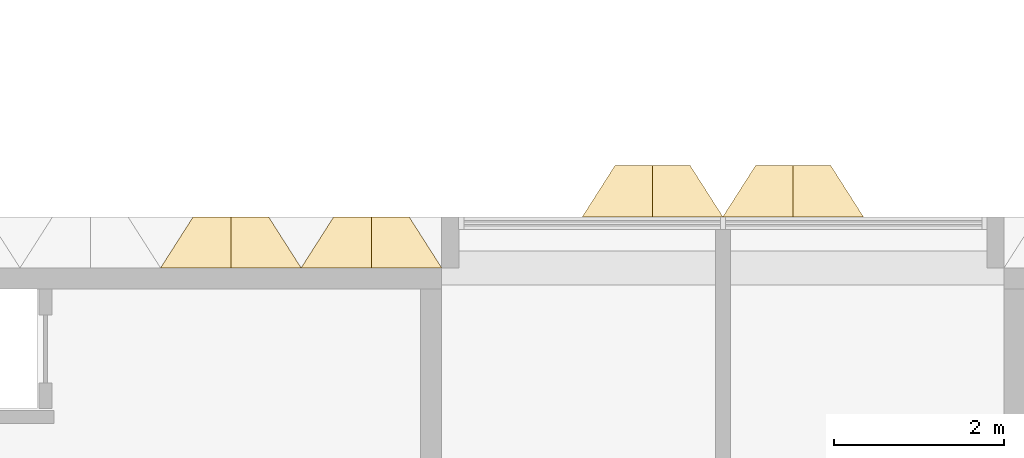
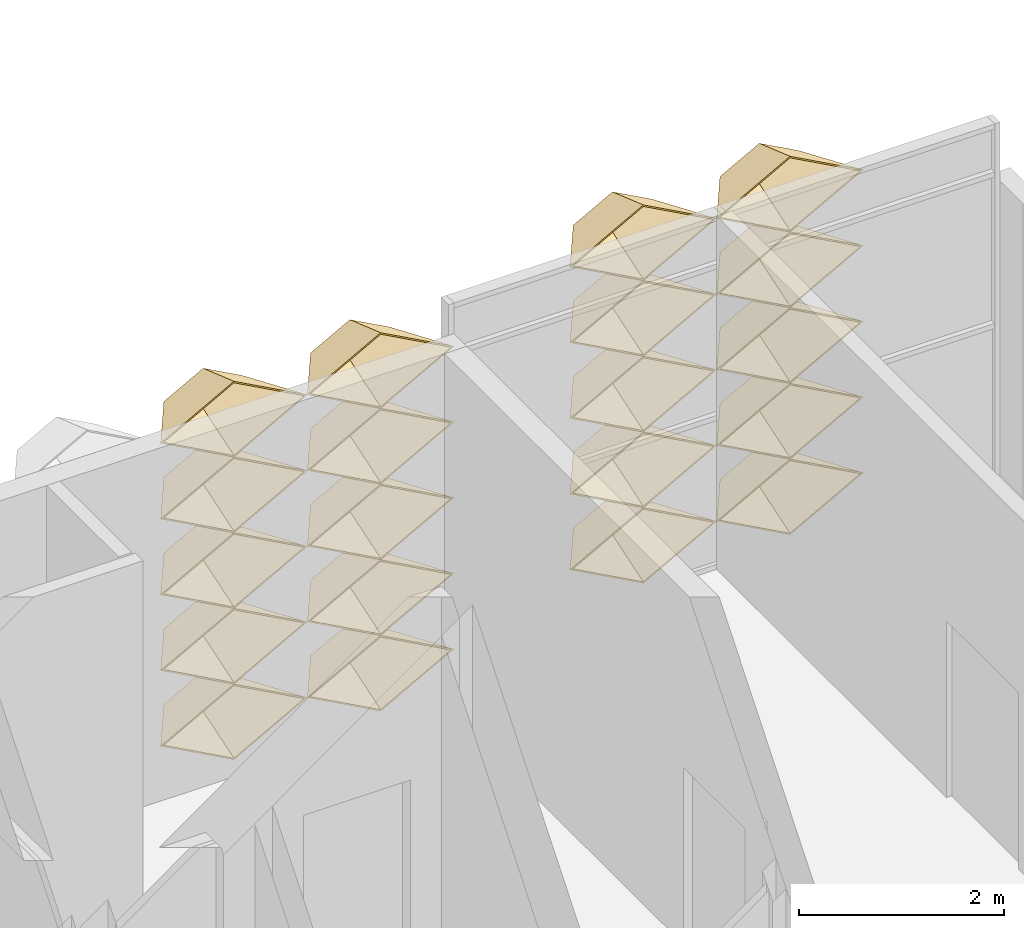
# One storey, part 74 of 109: 20 coverings.
"""IFC4 building model written with IfcOpenShell, lengths in metres."""

from ifc_helpers import new_model, entity, si_unit, direction, frame, origin, place, context, subcontext, project, spatial, material, layer, layer_set, type_object, element, save


model = new_model("IFC4")

# Units and contexts
model_context = context("Model", 3, precision=1e-05, world=origin(), true_north=direction((0.0, 1.0)))
body_context = subcontext(model_context, "Body", "Model", "MODEL_VIEW")
ifc_project = project(units=[si_unit("LENGTHUNIT", "METRE"), si_unit("AREAUNIT", "SQUARE_METRE"), si_unit("VOLUMEUNIT", "CUBIC_METRE"), si_unit("PLANEANGLEUNIT", "RADIAN"), si_unit("MASSUNIT", "GRAM", prefix="KILO")], contexts=[model_context])

# Site, building, storey
site_placement = place(None, origin())
site = spatial("IfcSite", under=ifc_project, at=site_placement, CompositionType="ELEMENT")
building_placement = place(site_placement, origin())
building = spatial("IfcBuilding", under=site, at=building_placement, Name="Lantern Court Research Institute", CompositionType="ELEMENT")
storey_placement = place(building_placement, frame((0.0, 0.0, 14.39990234375)))
storey = spatial("IfcBuildingStorey", under=building, at=storey_placement, Name="L03", CompositionType="ELEMENT", Elevation=14.39990234375)

# Coverings
ifc_material = material(Name="Anodised aluminium", Category="aluminium")
ifc_layer = layer(ifc_material, 0.01611328125)
ifc_layer_set = layer_set([ifc_layer], Name="Anodised aluminium")
covering_type = type_object("IfcCoveringType", Name="Fin cassette 1650 x 900 x 600 aluminium", PredefinedType="CLADDING", material=ifc_layer_set)
covering_1_placement = place(storey_placement, frame((23.925048828125, 23.10009765625, 0.4501953125), z_axis=(0.0, 1.0, 0.0), x_axis=(-1.0, 0.0, 0.0)))
cartesian_point_1 = entity("IfcCartesianPoint", [0.824951171875, 0.0])
cartesian_point_2 = entity("IfcCartesianPoint", [0.79150390625, 0.0])
cartesian_point_3 = entity("IfcCartesianPoint", [0.44189453125, 0.0])
cartesian_point_4 = entity("IfcCartesianPoint", [0.43359375, 0.0])
element("IfcCovering", 1, at=covering_1_placement, inside=storey, type_object=covering_type, Name="Fin cassette V4N-L03 1.15", PredefinedType="CLADDING", context=body_context, shape_type="SweptSolid", body=[
    entity("IfcExtrudedAreaSolidTapered", entity("IfcArbitraryProfileDefWithVoids", "AREA", None, entity("IfcPolyline", [cartesian_point_1, entity("IfcCartesianPoint", [0.0, 0.449951171875]), entity("IfcCartesianPoint", [-0.824951171875, 0.0]), entity("IfcCartesianPoint", [0.0, -0.449951171875]), cartesian_point_1]), [entity("IfcPolyline", [cartesian_point_2, entity("IfcCartesianPoint", [0.0, 0.431884765625]), entity("IfcCartesianPoint", [-0.79150390625, 0.0]), entity("IfcCartesianPoint", [0.0, -0.431884765625]), cartesian_point_2])]), entity("IfcAxis2Placement3D", entity("IfcCartesianPoint", [0.0, 0.0, 0.0])), entity("IfcDirection", [0.0, 0.0, 1.0]), 0.60009765625, entity("IfcArbitraryProfileDefWithVoids", "AREA", None, entity("IfcPolyline", [cartesian_point_3, entity("IfcCartesianPoint", [0.0, 0.240966796875]), entity("IfcCartesianPoint", [-0.44189453125, 0.0]), entity("IfcCartesianPoint", [0.0, -0.240966796875]), cartesian_point_3]), [entity("IfcPolyline", [cartesian_point_4, entity("IfcCartesianPoint", [0.0, 0.236572265625]), entity("IfcCartesianPoint", [-0.43359375, 0.0]), entity("IfcCartesianPoint", [0.0, -0.236572265625]), cartesian_point_4])])),
])
covering_2_placement = place(storey_placement, frame((25.574951171875, 23.10009765625, 0.4501953125), z_axis=(0.0, 1.0, 0.0), x_axis=(-1.0, 0.0, 0.0)))
cartesian_point_5 = entity("IfcCartesianPoint", [0.824951171875, 0.0])
cartesian_point_6 = entity("IfcCartesianPoint", [0.79150390625, 0.0])
cartesian_point_7 = entity("IfcCartesianPoint", [0.44189453125, 0.0])
cartesian_point_8 = entity("IfcCartesianPoint", [0.43359375, 0.0])
element("IfcCovering", 2, at=covering_2_placement, inside=storey, type_object=covering_type, Name="Fin cassette V4N-L03 1.16", PredefinedType="CLADDING", context=body_context, shape_type="SweptSolid", body=[
    entity("IfcExtrudedAreaSolidTapered", entity("IfcArbitraryProfileDefWithVoids", "AREA", None, entity("IfcPolyline", [cartesian_point_5, entity("IfcCartesianPoint", [0.0, 0.449951171875]), entity("IfcCartesianPoint", [-0.824951171875, 0.0]), entity("IfcCartesianPoint", [0.0, -0.449951171875]), cartesian_point_5]), [entity("IfcPolyline", [cartesian_point_6, entity("IfcCartesianPoint", [0.0, 0.431884765625]), entity("IfcCartesianPoint", [-0.79150390625, 0.0]), entity("IfcCartesianPoint", [0.0, -0.431884765625]), cartesian_point_6])]), entity("IfcAxis2Placement3D", entity("IfcCartesianPoint", [0.0, 0.0, 0.0])), entity("IfcDirection", [0.0, 0.0, 1.0]), 0.60009765625, entity("IfcArbitraryProfileDefWithVoids", "AREA", None, entity("IfcPolyline", [cartesian_point_7, entity("IfcCartesianPoint", [0.0, 0.240966796875]), entity("IfcCartesianPoint", [-0.44189453125, 0.0]), entity("IfcCartesianPoint", [0.0, -0.240966796875]), cartesian_point_7]), [entity("IfcPolyline", [cartesian_point_8, entity("IfcCartesianPoint", [0.0, 0.236572265625]), entity("IfcCartesianPoint", [-0.43359375, 0.0]), entity("IfcCartesianPoint", [0.0, -0.236572265625]), cartesian_point_8])])),
])
covering_3_placement = place(storey_placement, frame((23.925048828125, 23.10009765625, 1.35009765625), z_axis=(0.0, 1.0, 0.0), x_axis=(-1.0, 0.0, 0.0)))
cartesian_point_9 = entity("IfcCartesianPoint", [0.824951171875, 0.0])
cartesian_point_10 = entity("IfcCartesianPoint", [0.79150390625, 0.0])
cartesian_point_11 = entity("IfcCartesianPoint", [0.44189453125, 0.0])
cartesian_point_12 = entity("IfcCartesianPoint", [0.43359375, 0.0])
element("IfcCovering", 3, at=covering_3_placement, inside=storey, type_object=covering_type, Name="Fin cassette V4N-L03 2.15", PredefinedType="CLADDING", context=body_context, shape_type="SweptSolid", body=[
    entity("IfcExtrudedAreaSolidTapered", entity("IfcArbitraryProfileDefWithVoids", "AREA", None, entity("IfcPolyline", [cartesian_point_9, entity("IfcCartesianPoint", [0.0, 0.449951171875]), entity("IfcCartesianPoint", [-0.824951171875, 0.0]), entity("IfcCartesianPoint", [0.0, -0.449951171875]), cartesian_point_9]), [entity("IfcPolyline", [cartesian_point_10, entity("IfcCartesianPoint", [0.0, 0.431884765625]), entity("IfcCartesianPoint", [-0.79150390625, 0.0]), entity("IfcCartesianPoint", [0.0, -0.431884765625]), cartesian_point_10])]), entity("IfcAxis2Placement3D", entity("IfcCartesianPoint", [0.0, 0.0, 0.0])), entity("IfcDirection", [0.0, 0.0, 1.0]), 0.60009765625, entity("IfcArbitraryProfileDefWithVoids", "AREA", None, entity("IfcPolyline", [cartesian_point_11, entity("IfcCartesianPoint", [0.0, 0.240966796875]), entity("IfcCartesianPoint", [-0.44189453125, 0.0]), entity("IfcCartesianPoint", [0.0, -0.240966796875]), cartesian_point_11]), [entity("IfcPolyline", [cartesian_point_12, entity("IfcCartesianPoint", [0.0, 0.236572265625]), entity("IfcCartesianPoint", [-0.43359375, 0.0]), entity("IfcCartesianPoint", [0.0, -0.236572265625]), cartesian_point_12])])),
])
covering_4_placement = place(storey_placement, frame((25.574951171875, 23.10009765625, 1.35009765625), z_axis=(0.0, 1.0, 0.0), x_axis=(-1.0, 0.0, 0.0)))
cartesian_point_13 = entity("IfcCartesianPoint", [0.824951171875, 0.0])
cartesian_point_14 = entity("IfcCartesianPoint", [0.79150390625, 0.0])
cartesian_point_15 = entity("IfcCartesianPoint", [0.44189453125, 0.0])
cartesian_point_16 = entity("IfcCartesianPoint", [0.43359375, 0.0])
element("IfcCovering", 4, at=covering_4_placement, inside=storey, type_object=covering_type, Name="Fin cassette V4N-L03 2.16", PredefinedType="CLADDING", context=body_context, shape_type="SweptSolid", body=[
    entity("IfcExtrudedAreaSolidTapered", entity("IfcArbitraryProfileDefWithVoids", "AREA", None, entity("IfcPolyline", [cartesian_point_13, entity("IfcCartesianPoint", [0.0, 0.449951171875]), entity("IfcCartesianPoint", [-0.824951171875, 0.0]), entity("IfcCartesianPoint", [0.0, -0.449951171875]), cartesian_point_13]), [entity("IfcPolyline", [cartesian_point_14, entity("IfcCartesianPoint", [0.0, 0.431884765625]), entity("IfcCartesianPoint", [-0.79150390625, 0.0]), entity("IfcCartesianPoint", [0.0, -0.431884765625]), cartesian_point_14])]), entity("IfcAxis2Placement3D", entity("IfcCartesianPoint", [0.0, 0.0, 0.0])), entity("IfcDirection", [0.0, 0.0, 1.0]), 0.60009765625, entity("IfcArbitraryProfileDefWithVoids", "AREA", None, entity("IfcPolyline", [cartesian_point_15, entity("IfcCartesianPoint", [0.0, 0.240966796875]), entity("IfcCartesianPoint", [-0.44189453125, 0.0]), entity("IfcCartesianPoint", [0.0, -0.240966796875]), cartesian_point_15]), [entity("IfcPolyline", [cartesian_point_16, entity("IfcCartesianPoint", [0.0, 0.236572265625]), entity("IfcCartesianPoint", [-0.43359375, 0.0]), entity("IfcCartesianPoint", [0.0, -0.236572265625]), cartesian_point_16])])),
])
covering_5_placement = place(storey_placement, frame((23.925048828125, 23.10009765625, 2.25), z_axis=(0.0, 1.0, 0.0), x_axis=(-1.0, 0.0, 0.0)))
cartesian_point_17 = entity("IfcCartesianPoint", [0.824951171875, 0.0])
cartesian_point_18 = entity("IfcCartesianPoint", [0.79150390625, 0.0])
cartesian_point_19 = entity("IfcCartesianPoint", [0.44189453125, 0.0])
cartesian_point_20 = entity("IfcCartesianPoint", [0.43359375, 0.0])
element("IfcCovering", 5, at=covering_5_placement, inside=storey, type_object=covering_type, Name="Fin cassette V4N-L03 3.15", PredefinedType="CLADDING", context=body_context, shape_type="SweptSolid", body=[
    entity("IfcExtrudedAreaSolidTapered", entity("IfcArbitraryProfileDefWithVoids", "AREA", None, entity("IfcPolyline", [cartesian_point_17, entity("IfcCartesianPoint", [0.0, 0.449951171875]), entity("IfcCartesianPoint", [-0.824951171875, 0.0]), entity("IfcCartesianPoint", [0.0, -0.449951171875]), cartesian_point_17]), [entity("IfcPolyline", [cartesian_point_18, entity("IfcCartesianPoint", [0.0, 0.431884765625]), entity("IfcCartesianPoint", [-0.79150390625, 0.0]), entity("IfcCartesianPoint", [0.0, -0.431884765625]), cartesian_point_18])]), entity("IfcAxis2Placement3D", entity("IfcCartesianPoint", [0.0, 0.0, 0.0])), entity("IfcDirection", [0.0, 0.0, 1.0]), 0.60009765625, entity("IfcArbitraryProfileDefWithVoids", "AREA", None, entity("IfcPolyline", [cartesian_point_19, entity("IfcCartesianPoint", [0.0, 0.240966796875]), entity("IfcCartesianPoint", [-0.44189453125, 0.0]), entity("IfcCartesianPoint", [0.0, -0.240966796875]), cartesian_point_19]), [entity("IfcPolyline", [cartesian_point_20, entity("IfcCartesianPoint", [0.0, 0.236572265625]), entity("IfcCartesianPoint", [-0.43359375, 0.0]), entity("IfcCartesianPoint", [0.0, -0.236572265625]), cartesian_point_20])])),
])
covering_6_placement = place(storey_placement, frame((25.574951171875, 23.10009765625, 2.25), z_axis=(0.0, 1.0, 0.0), x_axis=(-1.0, 0.0, 0.0)))
cartesian_point_21 = entity("IfcCartesianPoint", [0.824951171875, 0.0])
cartesian_point_22 = entity("IfcCartesianPoint", [0.79150390625, 0.0])
cartesian_point_23 = entity("IfcCartesianPoint", [0.44189453125, 0.0])
cartesian_point_24 = entity("IfcCartesianPoint", [0.43359375, 0.0])
element("IfcCovering", 6, at=covering_6_placement, inside=storey, type_object=covering_type, Name="Fin cassette V4N-L03 3.16", PredefinedType="CLADDING", context=body_context, shape_type="SweptSolid", body=[
    entity("IfcExtrudedAreaSolidTapered", entity("IfcArbitraryProfileDefWithVoids", "AREA", None, entity("IfcPolyline", [cartesian_point_21, entity("IfcCartesianPoint", [0.0, 0.449951171875]), entity("IfcCartesianPoint", [-0.824951171875, 0.0]), entity("IfcCartesianPoint", [0.0, -0.449951171875]), cartesian_point_21]), [entity("IfcPolyline", [cartesian_point_22, entity("IfcCartesianPoint", [0.0, 0.431884765625]), entity("IfcCartesianPoint", [-0.79150390625, 0.0]), entity("IfcCartesianPoint", [0.0, -0.431884765625]), cartesian_point_22])]), entity("IfcAxis2Placement3D", entity("IfcCartesianPoint", [0.0, 0.0, 0.0])), entity("IfcDirection", [0.0, 0.0, 1.0]), 0.60009765625, entity("IfcArbitraryProfileDefWithVoids", "AREA", None, entity("IfcPolyline", [cartesian_point_23, entity("IfcCartesianPoint", [0.0, 0.240966796875]), entity("IfcCartesianPoint", [-0.44189453125, 0.0]), entity("IfcCartesianPoint", [0.0, -0.240966796875]), cartesian_point_23]), [entity("IfcPolyline", [cartesian_point_24, entity("IfcCartesianPoint", [0.0, 0.236572265625]), entity("IfcCartesianPoint", [-0.43359375, 0.0]), entity("IfcCartesianPoint", [0.0, -0.236572265625]), cartesian_point_24])])),
])
covering_7_placement = place(storey_placement, frame((23.925048828125, 23.10009765625, 3.150146484375), z_axis=(0.0, 1.0, 0.0), x_axis=(-1.0, 0.0, 0.0)))
cartesian_point_25 = entity("IfcCartesianPoint", [0.824951171875, 0.0])
cartesian_point_26 = entity("IfcCartesianPoint", [0.79150390625, 0.0])
cartesian_point_27 = entity("IfcCartesianPoint", [0.44189453125, 0.0])
cartesian_point_28 = entity("IfcCartesianPoint", [0.43359375, 0.0])
element("IfcCovering", 7, at=covering_7_placement, inside=storey, type_object=covering_type, Name="Fin cassette V4N-L03 4.15", PredefinedType="CLADDING", context=body_context, shape_type="SweptSolid", body=[
    entity("IfcExtrudedAreaSolidTapered", entity("IfcArbitraryProfileDefWithVoids", "AREA", None, entity("IfcPolyline", [cartesian_point_25, entity("IfcCartesianPoint", [0.0, 0.449951171875]), entity("IfcCartesianPoint", [-0.824951171875, 0.0]), entity("IfcCartesianPoint", [0.0, -0.449951171875]), cartesian_point_25]), [entity("IfcPolyline", [cartesian_point_26, entity("IfcCartesianPoint", [0.0, 0.431884765625]), entity("IfcCartesianPoint", [-0.79150390625, 0.0]), entity("IfcCartesianPoint", [0.0, -0.431884765625]), cartesian_point_26])]), entity("IfcAxis2Placement3D", entity("IfcCartesianPoint", [0.0, 0.0, 0.0])), entity("IfcDirection", [0.0, 0.0, 1.0]), 0.60009765625, entity("IfcArbitraryProfileDefWithVoids", "AREA", None, entity("IfcPolyline", [cartesian_point_27, entity("IfcCartesianPoint", [0.0, 0.240966796875]), entity("IfcCartesianPoint", [-0.44189453125, 0.0]), entity("IfcCartesianPoint", [0.0, -0.240966796875]), cartesian_point_27]), [entity("IfcPolyline", [cartesian_point_28, entity("IfcCartesianPoint", [0.0, 0.236572265625]), entity("IfcCartesianPoint", [-0.43359375, 0.0]), entity("IfcCartesianPoint", [0.0, -0.236572265625]), cartesian_point_28])])),
])
covering_8_placement = place(storey_placement, frame((25.574951171875, 23.10009765625, 3.150146484375), z_axis=(0.0, 1.0, 0.0), x_axis=(-1.0, 0.0, 0.0)))
cartesian_point_29 = entity("IfcCartesianPoint", [0.824951171875, 0.0])
cartesian_point_30 = entity("IfcCartesianPoint", [0.79150390625, 0.0])
cartesian_point_31 = entity("IfcCartesianPoint", [0.44189453125, 0.0])
cartesian_point_32 = entity("IfcCartesianPoint", [0.43359375, 0.0])
element("IfcCovering", 8, at=covering_8_placement, inside=storey, type_object=covering_type, Name="Fin cassette V4N-L03 4.16", PredefinedType="CLADDING", context=body_context, shape_type="SweptSolid", body=[
    entity("IfcExtrudedAreaSolidTapered", entity("IfcArbitraryProfileDefWithVoids", "AREA", None, entity("IfcPolyline", [cartesian_point_29, entity("IfcCartesianPoint", [0.0, 0.449951171875]), entity("IfcCartesianPoint", [-0.824951171875, 0.0]), entity("IfcCartesianPoint", [0.0, -0.449951171875]), cartesian_point_29]), [entity("IfcPolyline", [cartesian_point_30, entity("IfcCartesianPoint", [0.0, 0.431884765625]), entity("IfcCartesianPoint", [-0.79150390625, 0.0]), entity("IfcCartesianPoint", [0.0, -0.431884765625]), cartesian_point_30])]), entity("IfcAxis2Placement3D", entity("IfcCartesianPoint", [0.0, 0.0, 0.0])), entity("IfcDirection", [0.0, 0.0, 1.0]), 0.60009765625, entity("IfcArbitraryProfileDefWithVoids", "AREA", None, entity("IfcPolyline", [cartesian_point_31, entity("IfcCartesianPoint", [0.0, 0.240966796875]), entity("IfcCartesianPoint", [-0.44189453125, 0.0]), entity("IfcCartesianPoint", [0.0, -0.240966796875]), cartesian_point_31]), [entity("IfcPolyline", [cartesian_point_32, entity("IfcCartesianPoint", [0.0, 0.236572265625]), entity("IfcCartesianPoint", [-0.43359375, 0.0]), entity("IfcCartesianPoint", [0.0, -0.236572265625]), cartesian_point_32])])),
])
covering_9_placement = place(storey_placement, frame((23.925048828125, 23.10009765625, 4.050048828125), z_axis=(0.0, 1.0, 0.0), x_axis=(-1.0, 0.0, 0.0)))
cartesian_point_33 = entity("IfcCartesianPoint", [0.824951171875, 0.0])
cartesian_point_34 = entity("IfcCartesianPoint", [0.79150390625, 0.0])
cartesian_point_35 = entity("IfcCartesianPoint", [0.44189453125, 0.0])
cartesian_point_36 = entity("IfcCartesianPoint", [0.43359375, 0.0])
element("IfcCovering", 9, at=covering_9_placement, inside=storey, type_object=covering_type, Name="Fin cassette V4N-L03 5.15", PredefinedType="CLADDING", context=body_context, shape_type="SweptSolid", body=[
    entity("IfcExtrudedAreaSolidTapered", entity("IfcArbitraryProfileDefWithVoids", "AREA", None, entity("IfcPolyline", [cartesian_point_33, entity("IfcCartesianPoint", [0.0, 0.449951171875]), entity("IfcCartesianPoint", [-0.824951171875, 0.0]), entity("IfcCartesianPoint", [0.0, -0.449951171875]), cartesian_point_33]), [entity("IfcPolyline", [cartesian_point_34, entity("IfcCartesianPoint", [0.0, 0.431884765625]), entity("IfcCartesianPoint", [-0.79150390625, 0.0]), entity("IfcCartesianPoint", [0.0, -0.431884765625]), cartesian_point_34])]), entity("IfcAxis2Placement3D", entity("IfcCartesianPoint", [0.0, 0.0, 0.0])), entity("IfcDirection", [0.0, 0.0, 1.0]), 0.60009765625, entity("IfcArbitraryProfileDefWithVoids", "AREA", None, entity("IfcPolyline", [cartesian_point_35, entity("IfcCartesianPoint", [0.0, 0.240966796875]), entity("IfcCartesianPoint", [-0.44189453125, 0.0]), entity("IfcCartesianPoint", [0.0, -0.240966796875]), cartesian_point_35]), [entity("IfcPolyline", [cartesian_point_36, entity("IfcCartesianPoint", [0.0, 0.236572265625]), entity("IfcCartesianPoint", [-0.43359375, 0.0]), entity("IfcCartesianPoint", [0.0, -0.236572265625]), cartesian_point_36])])),
])
covering_10_placement = place(storey_placement, frame((25.574951171875, 23.10009765625, 4.050048828125), z_axis=(0.0, 1.0, 0.0), x_axis=(-1.0, 0.0, 0.0)))
cartesian_point_37 = entity("IfcCartesianPoint", [0.824951171875, 0.0])
cartesian_point_38 = entity("IfcCartesianPoint", [0.79150390625, 0.0])
cartesian_point_39 = entity("IfcCartesianPoint", [0.44189453125, 0.0])
cartesian_point_40 = entity("IfcCartesianPoint", [0.43359375, 0.0])
element("IfcCovering", 10, at=covering_10_placement, inside=storey, type_object=covering_type, Name="Fin cassette V4N-L03 5.16", PredefinedType="CLADDING", context=body_context, shape_type="SweptSolid", body=[
    entity("IfcExtrudedAreaSolidTapered", entity("IfcArbitraryProfileDefWithVoids", "AREA", None, entity("IfcPolyline", [cartesian_point_37, entity("IfcCartesianPoint", [0.0, 0.449951171875]), entity("IfcCartesianPoint", [-0.824951171875, 0.0]), entity("IfcCartesianPoint", [0.0, -0.449951171875]), cartesian_point_37]), [entity("IfcPolyline", [cartesian_point_38, entity("IfcCartesianPoint", [0.0, 0.431884765625]), entity("IfcCartesianPoint", [-0.79150390625, 0.0]), entity("IfcCartesianPoint", [0.0, -0.431884765625]), cartesian_point_38])]), entity("IfcAxis2Placement3D", entity("IfcCartesianPoint", [0.0, 0.0, 0.0])), entity("IfcDirection", [0.0, 0.0, 1.0]), 0.60009765625, entity("IfcArbitraryProfileDefWithVoids", "AREA", None, entity("IfcPolyline", [cartesian_point_39, entity("IfcCartesianPoint", [0.0, 0.240966796875]), entity("IfcCartesianPoint", [-0.44189453125, 0.0]), entity("IfcCartesianPoint", [0.0, -0.240966796875]), cartesian_point_39]), [entity("IfcPolyline", [cartesian_point_40, entity("IfcCartesianPoint", [0.0, 0.236572265625]), entity("IfcCartesianPoint", [-0.43359375, 0.0]), entity("IfcCartesianPoint", [0.0, -0.236572265625]), cartesian_point_40])])),
])
covering_11_placement = place(storey_placement, frame((28.875, 23.699951171875, 0.4501953125), z_axis=(0.0, 1.0, 0.0), x_axis=(-1.0, 0.0, 0.0)))
cartesian_point_41 = entity("IfcCartesianPoint", [0.824951171875, 0.0])
cartesian_point_42 = entity("IfcCartesianPoint", [0.79150390625, 0.0])
cartesian_point_43 = entity("IfcCartesianPoint", [0.44189453125, 0.0])
cartesian_point_44 = entity("IfcCartesianPoint", [0.43359375, 0.0])
element("IfcCovering", 11, at=covering_11_placement, inside=storey, type_object=covering_type, Name="Fin cassette V4N-L03 1.18", PredefinedType="CLADDING", context=body_context, shape_type="SweptSolid", body=[
    entity("IfcExtrudedAreaSolidTapered", entity("IfcArbitraryProfileDefWithVoids", "AREA", None, entity("IfcPolyline", [cartesian_point_41, entity("IfcCartesianPoint", [0.0, 0.449951171875]), entity("IfcCartesianPoint", [-0.824951171875, 0.0]), entity("IfcCartesianPoint", [0.0, -0.449951171875]), cartesian_point_41]), [entity("IfcPolyline", [cartesian_point_42, entity("IfcCartesianPoint", [0.0, 0.431884765625]), entity("IfcCartesianPoint", [-0.79150390625, 0.0]), entity("IfcCartesianPoint", [0.0, -0.431884765625]), cartesian_point_42])]), entity("IfcAxis2Placement3D", entity("IfcCartesianPoint", [0.0, 0.0, 0.0])), entity("IfcDirection", [0.0, 0.0, 1.0]), 0.60009765625, entity("IfcArbitraryProfileDefWithVoids", "AREA", None, entity("IfcPolyline", [cartesian_point_43, entity("IfcCartesianPoint", [0.0, 0.240966796875]), entity("IfcCartesianPoint", [-0.44189453125, 0.0]), entity("IfcCartesianPoint", [0.0, -0.240966796875]), cartesian_point_43]), [entity("IfcPolyline", [cartesian_point_44, entity("IfcCartesianPoint", [0.0, 0.236572265625]), entity("IfcCartesianPoint", [-0.43359375, 0.0]), entity("IfcCartesianPoint", [0.0, -0.236572265625]), cartesian_point_44])])),
])
covering_12_placement = place(storey_placement, frame((30.52490234375, 23.699951171875, 0.4501953125), z_axis=(0.0, 1.0, 0.0), x_axis=(-1.0, 0.0, 0.0)))
cartesian_point_45 = entity("IfcCartesianPoint", [0.824951171875, 0.0])
cartesian_point_46 = entity("IfcCartesianPoint", [0.79150390625, 0.0])
cartesian_point_47 = entity("IfcCartesianPoint", [0.44189453125, 0.0])
cartesian_point_48 = entity("IfcCartesianPoint", [0.43359375, 0.0])
element("IfcCovering", 12, at=covering_12_placement, inside=storey, type_object=covering_type, Name="Fin cassette V4N-L03 1.19", PredefinedType="CLADDING", context=body_context, shape_type="SweptSolid", body=[
    entity("IfcExtrudedAreaSolidTapered", entity("IfcArbitraryProfileDefWithVoids", "AREA", None, entity("IfcPolyline", [cartesian_point_45, entity("IfcCartesianPoint", [0.0, 0.449951171875]), entity("IfcCartesianPoint", [-0.824951171875, 0.0]), entity("IfcCartesianPoint", [0.0, -0.449951171875]), cartesian_point_45]), [entity("IfcPolyline", [cartesian_point_46, entity("IfcCartesianPoint", [0.0, 0.431884765625]), entity("IfcCartesianPoint", [-0.79150390625, 0.0]), entity("IfcCartesianPoint", [0.0, -0.431884765625]), cartesian_point_46])]), entity("IfcAxis2Placement3D", entity("IfcCartesianPoint", [0.0, 0.0, 0.0])), entity("IfcDirection", [0.0, 0.0, 1.0]), 0.60009765625, entity("IfcArbitraryProfileDefWithVoids", "AREA", None, entity("IfcPolyline", [cartesian_point_47, entity("IfcCartesianPoint", [0.0, 0.240966796875]), entity("IfcCartesianPoint", [-0.44189453125, 0.0]), entity("IfcCartesianPoint", [0.0, -0.240966796875]), cartesian_point_47]), [entity("IfcPolyline", [cartesian_point_48, entity("IfcCartesianPoint", [0.0, 0.236572265625]), entity("IfcCartesianPoint", [-0.43359375, 0.0]), entity("IfcCartesianPoint", [0.0, -0.236572265625]), cartesian_point_48])])),
])
covering_13_placement = place(storey_placement, frame((28.875, 23.699951171875, 1.35009765625), z_axis=(0.0, 1.0, 0.0), x_axis=(-1.0, 0.0, 0.0)))
cartesian_point_49 = entity("IfcCartesianPoint", [0.824951171875, 0.0])
cartesian_point_50 = entity("IfcCartesianPoint", [0.79150390625, 0.0])
cartesian_point_51 = entity("IfcCartesianPoint", [0.44189453125, 0.0])
cartesian_point_52 = entity("IfcCartesianPoint", [0.43359375, 0.0])
element("IfcCovering", 13, at=covering_13_placement, inside=storey, type_object=covering_type, Name="Fin cassette V4N-L03 2.18", PredefinedType="CLADDING", context=body_context, shape_type="SweptSolid", body=[
    entity("IfcExtrudedAreaSolidTapered", entity("IfcArbitraryProfileDefWithVoids", "AREA", None, entity("IfcPolyline", [cartesian_point_49, entity("IfcCartesianPoint", [0.0, 0.449951171875]), entity("IfcCartesianPoint", [-0.824951171875, 0.0]), entity("IfcCartesianPoint", [0.0, -0.449951171875]), cartesian_point_49]), [entity("IfcPolyline", [cartesian_point_50, entity("IfcCartesianPoint", [0.0, 0.431884765625]), entity("IfcCartesianPoint", [-0.79150390625, 0.0]), entity("IfcCartesianPoint", [0.0, -0.431884765625]), cartesian_point_50])]), entity("IfcAxis2Placement3D", entity("IfcCartesianPoint", [0.0, 0.0, 0.0])), entity("IfcDirection", [0.0, 0.0, 1.0]), 0.60009765625, entity("IfcArbitraryProfileDefWithVoids", "AREA", None, entity("IfcPolyline", [cartesian_point_51, entity("IfcCartesianPoint", [0.0, 0.240966796875]), entity("IfcCartesianPoint", [-0.44189453125, 0.0]), entity("IfcCartesianPoint", [0.0, -0.240966796875]), cartesian_point_51]), [entity("IfcPolyline", [cartesian_point_52, entity("IfcCartesianPoint", [0.0, 0.236572265625]), entity("IfcCartesianPoint", [-0.43359375, 0.0]), entity("IfcCartesianPoint", [0.0, -0.236572265625]), cartesian_point_52])])),
])
covering_14_placement = place(storey_placement, frame((30.52490234375, 23.699951171875, 1.35009765625), z_axis=(0.0, 1.0, 0.0), x_axis=(-1.0, 0.0, 0.0)))
cartesian_point_53 = entity("IfcCartesianPoint", [0.824951171875, 0.0])
cartesian_point_54 = entity("IfcCartesianPoint", [0.79150390625, 0.0])
cartesian_point_55 = entity("IfcCartesianPoint", [0.44189453125, 0.0])
cartesian_point_56 = entity("IfcCartesianPoint", [0.43359375, 0.0])
element("IfcCovering", 14, at=covering_14_placement, inside=storey, type_object=covering_type, Name="Fin cassette V4N-L03 2.19", PredefinedType="CLADDING", context=body_context, shape_type="SweptSolid", body=[
    entity("IfcExtrudedAreaSolidTapered", entity("IfcArbitraryProfileDefWithVoids", "AREA", None, entity("IfcPolyline", [cartesian_point_53, entity("IfcCartesianPoint", [0.0, 0.449951171875]), entity("IfcCartesianPoint", [-0.824951171875, 0.0]), entity("IfcCartesianPoint", [0.0, -0.449951171875]), cartesian_point_53]), [entity("IfcPolyline", [cartesian_point_54, entity("IfcCartesianPoint", [0.0, 0.431884765625]), entity("IfcCartesianPoint", [-0.79150390625, 0.0]), entity("IfcCartesianPoint", [0.0, -0.431884765625]), cartesian_point_54])]), entity("IfcAxis2Placement3D", entity("IfcCartesianPoint", [0.0, 0.0, 0.0])), entity("IfcDirection", [0.0, 0.0, 1.0]), 0.60009765625, entity("IfcArbitraryProfileDefWithVoids", "AREA", None, entity("IfcPolyline", [cartesian_point_55, entity("IfcCartesianPoint", [0.0, 0.240966796875]), entity("IfcCartesianPoint", [-0.44189453125, 0.0]), entity("IfcCartesianPoint", [0.0, -0.240966796875]), cartesian_point_55]), [entity("IfcPolyline", [cartesian_point_56, entity("IfcCartesianPoint", [0.0, 0.236572265625]), entity("IfcCartesianPoint", [-0.43359375, 0.0]), entity("IfcCartesianPoint", [0.0, -0.236572265625]), cartesian_point_56])])),
])
covering_15_placement = place(storey_placement, frame((28.875, 23.699951171875, 2.25), z_axis=(0.0, 1.0, 0.0), x_axis=(-1.0, 0.0, 0.0)))
cartesian_point_57 = entity("IfcCartesianPoint", [0.824951171875, 0.0])
cartesian_point_58 = entity("IfcCartesianPoint", [0.79150390625, 0.0])
cartesian_point_59 = entity("IfcCartesianPoint", [0.44189453125, 0.0])
cartesian_point_60 = entity("IfcCartesianPoint", [0.43359375, 0.0])
element("IfcCovering", 15, at=covering_15_placement, inside=storey, type_object=covering_type, Name="Fin cassette V4N-L03 3.18", PredefinedType="CLADDING", context=body_context, shape_type="SweptSolid", body=[
    entity("IfcExtrudedAreaSolidTapered", entity("IfcArbitraryProfileDefWithVoids", "AREA", None, entity("IfcPolyline", [cartesian_point_57, entity("IfcCartesianPoint", [0.0, 0.449951171875]), entity("IfcCartesianPoint", [-0.824951171875, 0.0]), entity("IfcCartesianPoint", [0.0, -0.449951171875]), cartesian_point_57]), [entity("IfcPolyline", [cartesian_point_58, entity("IfcCartesianPoint", [0.0, 0.431884765625]), entity("IfcCartesianPoint", [-0.79150390625, 0.0]), entity("IfcCartesianPoint", [0.0, -0.431884765625]), cartesian_point_58])]), entity("IfcAxis2Placement3D", entity("IfcCartesianPoint", [0.0, 0.0, 0.0])), entity("IfcDirection", [0.0, 0.0, 1.0]), 0.60009765625, entity("IfcArbitraryProfileDefWithVoids", "AREA", None, entity("IfcPolyline", [cartesian_point_59, entity("IfcCartesianPoint", [0.0, 0.240966796875]), entity("IfcCartesianPoint", [-0.44189453125, 0.0]), entity("IfcCartesianPoint", [0.0, -0.240966796875]), cartesian_point_59]), [entity("IfcPolyline", [cartesian_point_60, entity("IfcCartesianPoint", [0.0, 0.236572265625]), entity("IfcCartesianPoint", [-0.43359375, 0.0]), entity("IfcCartesianPoint", [0.0, -0.236572265625]), cartesian_point_60])])),
])
covering_16_placement = place(storey_placement, frame((30.52490234375, 23.699951171875, 2.25), z_axis=(0.0, 1.0, 0.0), x_axis=(-1.0, 0.0, 0.0)))
cartesian_point_61 = entity("IfcCartesianPoint", [0.824951171875, 0.0])
cartesian_point_62 = entity("IfcCartesianPoint", [0.79150390625, 0.0])
cartesian_point_63 = entity("IfcCartesianPoint", [0.44189453125, 0.0])
cartesian_point_64 = entity("IfcCartesianPoint", [0.43359375, 0.0])
element("IfcCovering", 16, at=covering_16_placement, inside=storey, type_object=covering_type, Name="Fin cassette V4N-L03 3.19", PredefinedType="CLADDING", context=body_context, shape_type="SweptSolid", body=[
    entity("IfcExtrudedAreaSolidTapered", entity("IfcArbitraryProfileDefWithVoids", "AREA", None, entity("IfcPolyline", [cartesian_point_61, entity("IfcCartesianPoint", [0.0, 0.449951171875]), entity("IfcCartesianPoint", [-0.824951171875, 0.0]), entity("IfcCartesianPoint", [0.0, -0.449951171875]), cartesian_point_61]), [entity("IfcPolyline", [cartesian_point_62, entity("IfcCartesianPoint", [0.0, 0.431884765625]), entity("IfcCartesianPoint", [-0.79150390625, 0.0]), entity("IfcCartesianPoint", [0.0, -0.431884765625]), cartesian_point_62])]), entity("IfcAxis2Placement3D", entity("IfcCartesianPoint", [0.0, 0.0, 0.0])), entity("IfcDirection", [0.0, 0.0, 1.0]), 0.60009765625, entity("IfcArbitraryProfileDefWithVoids", "AREA", None, entity("IfcPolyline", [cartesian_point_63, entity("IfcCartesianPoint", [0.0, 0.240966796875]), entity("IfcCartesianPoint", [-0.44189453125, 0.0]), entity("IfcCartesianPoint", [0.0, -0.240966796875]), cartesian_point_63]), [entity("IfcPolyline", [cartesian_point_64, entity("IfcCartesianPoint", [0.0, 0.236572265625]), entity("IfcCartesianPoint", [-0.43359375, 0.0]), entity("IfcCartesianPoint", [0.0, -0.236572265625]), cartesian_point_64])])),
])
covering_17_placement = place(storey_placement, frame((28.875, 23.699951171875, 3.150146484375), z_axis=(0.0, 1.0, 0.0), x_axis=(-1.0, 0.0, 0.0)))
cartesian_point_65 = entity("IfcCartesianPoint", [0.824951171875, 0.0])
cartesian_point_66 = entity("IfcCartesianPoint", [0.79150390625, 0.0])
cartesian_point_67 = entity("IfcCartesianPoint", [0.44189453125, 0.0])
cartesian_point_68 = entity("IfcCartesianPoint", [0.43359375, 0.0])
element("IfcCovering", 17, at=covering_17_placement, inside=storey, type_object=covering_type, Name="Fin cassette V4N-L03 4.18", PredefinedType="CLADDING", context=body_context, shape_type="SweptSolid", body=[
    entity("IfcExtrudedAreaSolidTapered", entity("IfcArbitraryProfileDefWithVoids", "AREA", None, entity("IfcPolyline", [cartesian_point_65, entity("IfcCartesianPoint", [0.0, 0.449951171875]), entity("IfcCartesianPoint", [-0.824951171875, 0.0]), entity("IfcCartesianPoint", [0.0, -0.449951171875]), cartesian_point_65]), [entity("IfcPolyline", [cartesian_point_66, entity("IfcCartesianPoint", [0.0, 0.431884765625]), entity("IfcCartesianPoint", [-0.79150390625, 0.0]), entity("IfcCartesianPoint", [0.0, -0.431884765625]), cartesian_point_66])]), entity("IfcAxis2Placement3D", entity("IfcCartesianPoint", [0.0, 0.0, 0.0])), entity("IfcDirection", [0.0, 0.0, 1.0]), 0.60009765625, entity("IfcArbitraryProfileDefWithVoids", "AREA", None, entity("IfcPolyline", [cartesian_point_67, entity("IfcCartesianPoint", [0.0, 0.240966796875]), entity("IfcCartesianPoint", [-0.44189453125, 0.0]), entity("IfcCartesianPoint", [0.0, -0.240966796875]), cartesian_point_67]), [entity("IfcPolyline", [cartesian_point_68, entity("IfcCartesianPoint", [0.0, 0.236572265625]), entity("IfcCartesianPoint", [-0.43359375, 0.0]), entity("IfcCartesianPoint", [0.0, -0.236572265625]), cartesian_point_68])])),
])
covering_18_placement = place(storey_placement, frame((30.52490234375, 23.699951171875, 3.150146484375), z_axis=(0.0, 1.0, 0.0), x_axis=(-1.0, 0.0, 0.0)))
cartesian_point_69 = entity("IfcCartesianPoint", [0.824951171875, 0.0])
cartesian_point_70 = entity("IfcCartesianPoint", [0.79150390625, 0.0])
cartesian_point_71 = entity("IfcCartesianPoint", [0.44189453125, 0.0])
cartesian_point_72 = entity("IfcCartesianPoint", [0.43359375, 0.0])
element("IfcCovering", 18, at=covering_18_placement, inside=storey, type_object=covering_type, Name="Fin cassette V4N-L03 4.19", PredefinedType="CLADDING", context=body_context, shape_type="SweptSolid", body=[
    entity("IfcExtrudedAreaSolidTapered", entity("IfcArbitraryProfileDefWithVoids", "AREA", None, entity("IfcPolyline", [cartesian_point_69, entity("IfcCartesianPoint", [0.0, 0.449951171875]), entity("IfcCartesianPoint", [-0.824951171875, 0.0]), entity("IfcCartesianPoint", [0.0, -0.449951171875]), cartesian_point_69]), [entity("IfcPolyline", [cartesian_point_70, entity("IfcCartesianPoint", [0.0, 0.431884765625]), entity("IfcCartesianPoint", [-0.79150390625, 0.0]), entity("IfcCartesianPoint", [0.0, -0.431884765625]), cartesian_point_70])]), entity("IfcAxis2Placement3D", entity("IfcCartesianPoint", [0.0, 0.0, 0.0])), entity("IfcDirection", [0.0, 0.0, 1.0]), 0.60009765625, entity("IfcArbitraryProfileDefWithVoids", "AREA", None, entity("IfcPolyline", [cartesian_point_71, entity("IfcCartesianPoint", [0.0, 0.240966796875]), entity("IfcCartesianPoint", [-0.44189453125, 0.0]), entity("IfcCartesianPoint", [0.0, -0.240966796875]), cartesian_point_71]), [entity("IfcPolyline", [cartesian_point_72, entity("IfcCartesianPoint", [0.0, 0.236572265625]), entity("IfcCartesianPoint", [-0.43359375, 0.0]), entity("IfcCartesianPoint", [0.0, -0.236572265625]), cartesian_point_72])])),
])
covering_19_placement = place(storey_placement, frame((28.875, 23.699951171875, 4.050048828125), z_axis=(0.0, 1.0, 0.0), x_axis=(-1.0, 0.0, 0.0)))
cartesian_point_73 = entity("IfcCartesianPoint", [0.824951171875, 0.0])
cartesian_point_74 = entity("IfcCartesianPoint", [0.79150390625, 0.0])
cartesian_point_75 = entity("IfcCartesianPoint", [0.44189453125, 0.0])
cartesian_point_76 = entity("IfcCartesianPoint", [0.43359375, 0.0])
element("IfcCovering", 19, at=covering_19_placement, inside=storey, type_object=covering_type, Name="Fin cassette V4N-L03 5.18", PredefinedType="CLADDING", context=body_context, shape_type="SweptSolid", body=[
    entity("IfcExtrudedAreaSolidTapered", entity("IfcArbitraryProfileDefWithVoids", "AREA", None, entity("IfcPolyline", [cartesian_point_73, entity("IfcCartesianPoint", [0.0, 0.449951171875]), entity("IfcCartesianPoint", [-0.824951171875, 0.0]), entity("IfcCartesianPoint", [0.0, -0.449951171875]), cartesian_point_73]), [entity("IfcPolyline", [cartesian_point_74, entity("IfcCartesianPoint", [0.0, 0.431884765625]), entity("IfcCartesianPoint", [-0.79150390625, 0.0]), entity("IfcCartesianPoint", [0.0, -0.431884765625]), cartesian_point_74])]), entity("IfcAxis2Placement3D", entity("IfcCartesianPoint", [0.0, 0.0, 0.0])), entity("IfcDirection", [0.0, 0.0, 1.0]), 0.60009765625, entity("IfcArbitraryProfileDefWithVoids", "AREA", None, entity("IfcPolyline", [cartesian_point_75, entity("IfcCartesianPoint", [0.0, 0.240966796875]), entity("IfcCartesianPoint", [-0.44189453125, 0.0]), entity("IfcCartesianPoint", [0.0, -0.240966796875]), cartesian_point_75]), [entity("IfcPolyline", [cartesian_point_76, entity("IfcCartesianPoint", [0.0, 0.236572265625]), entity("IfcCartesianPoint", [-0.43359375, 0.0]), entity("IfcCartesianPoint", [0.0, -0.236572265625]), cartesian_point_76])])),
])
covering_20_placement = place(storey_placement, frame((30.52490234375, 23.699951171875, 4.050048828125), z_axis=(0.0, 1.0, 0.0), x_axis=(-1.0, 0.0, 0.0)))
cartesian_point_77 = entity("IfcCartesianPoint", [0.824951171875, 0.0])
cartesian_point_78 = entity("IfcCartesianPoint", [0.79150390625, 0.0])
cartesian_point_79 = entity("IfcCartesianPoint", [0.44189453125, 0.0])
cartesian_point_80 = entity("IfcCartesianPoint", [0.43359375, 0.0])
element("IfcCovering", 20, at=covering_20_placement, inside=storey, type_object=covering_type, Name="Fin cassette V4N-L03 5.19", PredefinedType="CLADDING", context=body_context, shape_type="SweptSolid", body=[
    entity("IfcExtrudedAreaSolidTapered", entity("IfcArbitraryProfileDefWithVoids", "AREA", None, entity("IfcPolyline", [cartesian_point_77, entity("IfcCartesianPoint", [0.0, 0.449951171875]), entity("IfcCartesianPoint", [-0.824951171875, 0.0]), entity("IfcCartesianPoint", [0.0, -0.449951171875]), cartesian_point_77]), [entity("IfcPolyline", [cartesian_point_78, entity("IfcCartesianPoint", [0.0, 0.431884765625]), entity("IfcCartesianPoint", [-0.79150390625, 0.0]), entity("IfcCartesianPoint", [0.0, -0.431884765625]), cartesian_point_78])]), entity("IfcAxis2Placement3D", entity("IfcCartesianPoint", [0.0, 0.0, 0.0])), entity("IfcDirection", [0.0, 0.0, 1.0]), 0.60009765625, entity("IfcArbitraryProfileDefWithVoids", "AREA", None, entity("IfcPolyline", [cartesian_point_79, entity("IfcCartesianPoint", [0.0, 0.240966796875]), entity("IfcCartesianPoint", [-0.44189453125, 0.0]), entity("IfcCartesianPoint", [0.0, -0.240966796875]), cartesian_point_79]), [entity("IfcPolyline", [cartesian_point_80, entity("IfcCartesianPoint", [0.0, 0.236572265625]), entity("IfcCartesianPoint", [-0.43359375, 0.0]), entity("IfcCartesianPoint", [0.0, -0.236572265625]), cartesian_point_80])])),
])

save(model, "model.ifc")
